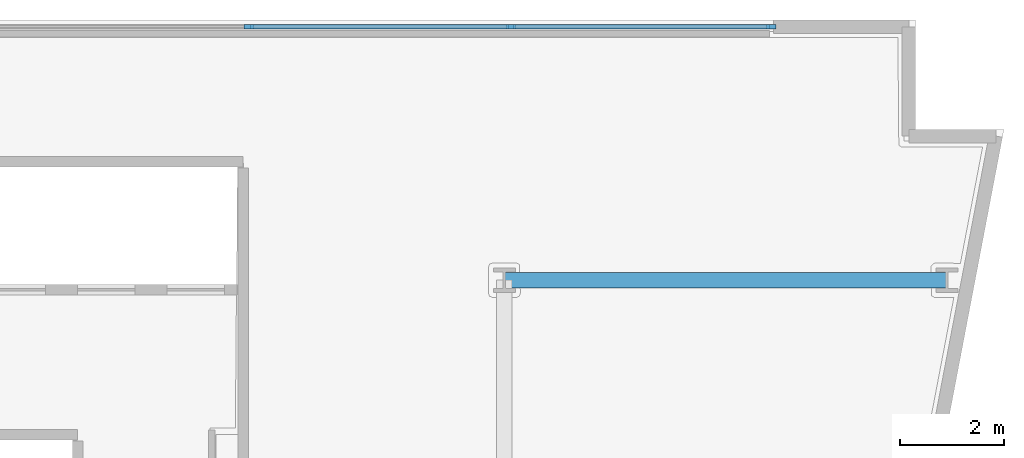
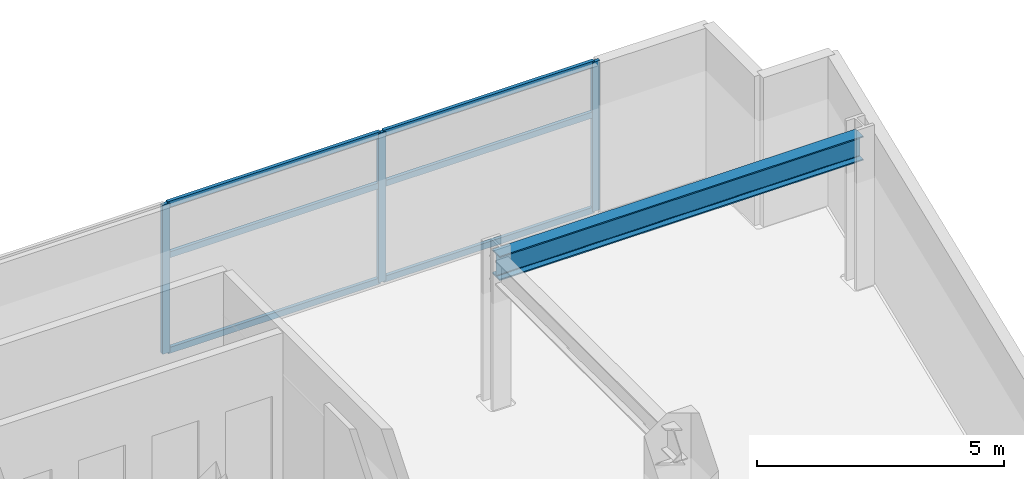
# One storey, part 4 of 13: 9 members, 1 beam, 1 element without a shape of its own.
"""IFC4 building model written with IfcOpenShell, lengths in metres."""

from ifc_helpers import new_model, si_unit, direction, frame, origin, origin_2d, place, context, subcontext, project, spatial, rectangle, i_section, extrude, material, layer, layer_set, material_profile, profile_set, type_object, element, aggregate, save


model = new_model("IFC4")

# Units and contexts
model_context = context("Model", 3, precision=1e-05, world=origin(), true_north=direction((0.0, 1.0)))
body_context = subcontext(model_context, "Body", "Model", "MODEL_VIEW")
ifc_project = project(units=[si_unit("LENGTHUNIT", "METRE"), si_unit("AREAUNIT", "SQUARE_METRE"), si_unit("VOLUMEUNIT", "CUBIC_METRE"), si_unit("PLANEANGLEUNIT", "RADIAN"), si_unit("MASSUNIT", "GRAM", prefix="KILO")], contexts=[model_context])

# Site, building, storey
site_placement = place(None, origin())
site = spatial("IfcSite", under=ifc_project, at=site_placement, CompositionType="ELEMENT")
building_placement = place(site_placement, origin())
building = spatial("IfcBuilding", under=site, at=building_placement, Name="Caeloran Harvest Quay", CompositionType="ELEMENT")
storey_placement = place(building_placement, frame((0.0, 0.0, 143.0)))
storey = spatial("IfcBuildingStorey", under=building, at=storey_placement, Name="L33", CompositionType="ELEMENT", Elevation=143.0)

# Beam
ifc_material_1 = material(Name="Steel S355J2", Category="steel")
ifc_material_profile_1 = material_profile(ifc_material_1, i_section(OverallWidth=0.300048828125, OverallDepth=0.60009765625, WebThickness=0.015380859375, FlangeThickness=0.030029296875, FilletRadius=0.027099609375, at=origin_2d()), Name="HE 600 B")
ifc_profile_set_1 = profile_set([ifc_material_profile_1], Name="Steel S355J2")
beam_type = type_object("IfcBeamType", Name="BM-PG-3-HE_600_B", PredefinedType="BEAM", material=ifc_profile_set_1)
beam_placement = place(storey_placement, frame((42.5, 38.5, 3.389892578125), z_axis=(1.0, 0.0, 0.0), x_axis=(0.0, 1.0, 0.0)))
element("IfcBeam", 1, at=beam_placement, inside=storey, type_object=beam_type, Name="L33 Primary East-West Girder Y=38.5", PredefinedType="BEAM", context=body_context, shape_type="SweptSolid", body=[
    extrude(i_section(OverallWidth=0.300048828125, OverallDepth=0.60009765625, WebThickness=0.015380859375, FlangeThickness=0.030029296875, FilletRadius=0.027099609375, at=origin_2d()), origin(), (0.0, 0.0, 1.0), 8.5),
])

# Curtain wall, members
ifc_material_2 = material(Name="Aluminium 6063-T6 and Low-E Glazing", Category="aluminium")
ifc_layer = layer(ifc_material_2, 0.18994140625, Name="Aluminium 6063-T6 and Low-E Glazing")
ifc_layer_set = layer_set([ifc_layer], Name="Aluminium 6063-T6 and Low-E Glazing")
curtain_wall_type = type_object("IfcCurtainWallType", Name="CW-SYS-CW-3", PredefinedType="USERDEFINED", material=ifc_layer_set)
curtain_wall_placement = place(storey_placement, origin())
curtain_wall = element("IfcCurtainWall", 2, at=curtain_wall_placement, inside=storey, type_object=curtain_wall_type, Name="L33 Unitised Curtain Wall CW-3 Run 6", ObjectType="CURTAIN_WALL", PredefinedType="USERDEFINED")
ifc_material_3 = material(Name="Aluminium 6063-T6", Category="aluminium")
ifc_material_profile_2 = material_profile(ifc_material_3, rectangle(XDim=0.080078125, YDim=0.179931640625, at=origin_2d()), Name="CW-MULLION-180")
ifc_profile_set_2 = profile_set([ifc_material_profile_2], Name="Aluminium 6063-T6")
member_type_1 = type_object("IfcMemberType", Name="CW-MULLION-180", PredefinedType="MULLION", material=ifc_profile_set_2)
member_1_placement = place(storey_placement, frame((37.5849609375, 43.3701171875, 0.0), z_axis=(0.0, 0.0, 1.0), x_axis=(0.0, 1.0, 0.0)))
member_1 = element("IfcMember", 3, at=member_1_placement, type_object=member_type_1, Name="CW-3 mullion 7", PredefinedType="MULLION", context=body_context, shape_type="SweptSolid", body=[
    extrude(rectangle(XDim=0.080078125, YDim=0.179931640625, at=origin_2d()), origin(), (0.0, 0.0, 1.0), 3.68994140625),
])
member_2_placement = place(storey_placement, frame((42.62744140625, 43.3701171875, 0.0), z_axis=(0.0, 0.0, 1.0), x_axis=(0.0, 1.0, 0.0)))
member_2 = element("IfcMember", 4, at=member_2_placement, type_object=member_type_1, Name="CW-3 mullion 8", PredefinedType="MULLION", context=body_context, shape_type="SweptSolid", body=[
    extrude(rectangle(XDim=0.080078125, YDim=0.179931640625, at=origin_2d()), origin(), (0.0, 0.0, 1.0), 3.68994140625),
])
member_3_placement = place(storey_placement, frame((47.6298828125, 43.3701171875, 0.0), z_axis=(0.0, 0.0, 1.0), x_axis=(0.0, 1.0, 0.0)))
member_3 = element("IfcMember", 5, at=member_3_placement, type_object=member_type_1, Name="CW-3 mullion 9", PredefinedType="MULLION", context=body_context, shape_type="SweptSolid", body=[
    extrude(rectangle(XDim=0.080078125, YDim=0.179931640625, at=origin_2d()), origin(), (0.0, 0.0, 1.0), 3.68994140625),
])
ifc_material_profile_3 = material_profile(ifc_material_3, rectangle(XDim=0.080078125, YDim=0.14990234375, at=origin_2d()), Name="CW-TRANSOM-150")
ifc_profile_set_3 = profile_set([ifc_material_profile_3], Name="Aluminium 6063-T6")
member_type_2 = type_object("IfcMemberType", Name="CW-TRANSOM-150", PredefinedType="USERDEFINED", material=ifc_profile_set_3)
member_4_placement = place(storey_placement, frame((37.625, 43.3701171875, 0.0400390625), z_axis=(1.0, 0.0, 0.0), x_axis=(0.0, 1.0, 0.0)))
member_4 = element("IfcMember", 6, at=member_4_placement, type_object=member_type_2, Name="CW-3 transom 7.1", ObjectType="TRANSOM", PredefinedType="USERDEFINED", context=body_context, shape_type="SweptSolid", body=[
    extrude(rectangle(XDim=0.080078125, YDim=0.14990234375, at=origin_2d()), origin(), (0.0, 0.0, 1.0), 4.96240234375),
])
member_5_placement = place(storey_placement, frame((37.625, 43.3701171875, 2.39990234375), z_axis=(1.0, 0.0, 0.0), x_axis=(0.0, 1.0, 0.0)))
member_5 = element("IfcMember", 7, at=member_5_placement, type_object=member_type_2, Name="CW-3 transom 7.2", ObjectType="TRANSOM", PredefinedType="USERDEFINED", context=body_context, shape_type="SweptSolid", body=[
    extrude(rectangle(XDim=0.080078125, YDim=0.14990234375, at=origin_2d()), origin(), (0.0, 0.0, 1.0), 4.96240234375),
])
member_6_placement = place(storey_placement, frame((37.625, 43.3701171875, 3.64990234375), z_axis=(1.0, 0.0, 0.0), x_axis=(0.0, 1.0, 0.0)))
member_6 = element("IfcMember", 8, at=member_6_placement, type_object=member_type_2, Name="CW-3 transom 7.3", ObjectType="TRANSOM", PredefinedType="USERDEFINED", context=body_context, shape_type="SweptSolid", body=[
    extrude(rectangle(XDim=0.080078125, YDim=0.14990234375, at=origin_2d()), origin(), (0.0, 0.0, 1.0), 4.96240234375),
])
member_7_placement = place(storey_placement, frame((42.66748046875, 43.3701171875, 0.0400390625), z_axis=(1.0, 0.0, 0.0), x_axis=(0.0, 1.0, 0.0)))
member_7 = element("IfcMember", 9, at=member_7_placement, type_object=member_type_2, Name="CW-3 transom 8.1", ObjectType="TRANSOM", PredefinedType="USERDEFINED", context=body_context, shape_type="SweptSolid", body=[
    extrude(rectangle(XDim=0.080078125, YDim=0.14990234375, at=origin_2d()), origin(), (0.0, 0.0, 1.0), 4.922607421875),
])
member_8_placement = place(storey_placement, frame((42.66748046875, 43.3701171875, 2.39990234375), z_axis=(1.0, 0.0, 0.0), x_axis=(0.0, 1.0, 0.0)))
member_8 = element("IfcMember", 10, at=member_8_placement, type_object=member_type_2, Name="CW-3 transom 8.2", ObjectType="TRANSOM", PredefinedType="USERDEFINED", context=body_context, shape_type="SweptSolid", body=[
    extrude(rectangle(XDim=0.080078125, YDim=0.14990234375, at=origin_2d()), origin(), (0.0, 0.0, 1.0), 4.922607421875),
])
member_9_placement = place(storey_placement, frame((42.66748046875, 43.3701171875, 3.64990234375), z_axis=(1.0, 0.0, 0.0), x_axis=(0.0, 1.0, 0.0)))
member_9 = element("IfcMember", 11, at=member_9_placement, type_object=member_type_2, Name="CW-3 transom 8.3", ObjectType="TRANSOM", PredefinedType="USERDEFINED", context=body_context, shape_type="SweptSolid", body=[
    extrude(rectangle(XDim=0.080078125, YDim=0.14990234375, at=origin_2d()), origin(), (0.0, 0.0, 1.0), 4.922607421875),
])
aggregate(curtain_wall, [member_1, member_2, member_3, member_4, member_5, member_6, member_7, member_8, member_9])

save(model, "model.ifc")
